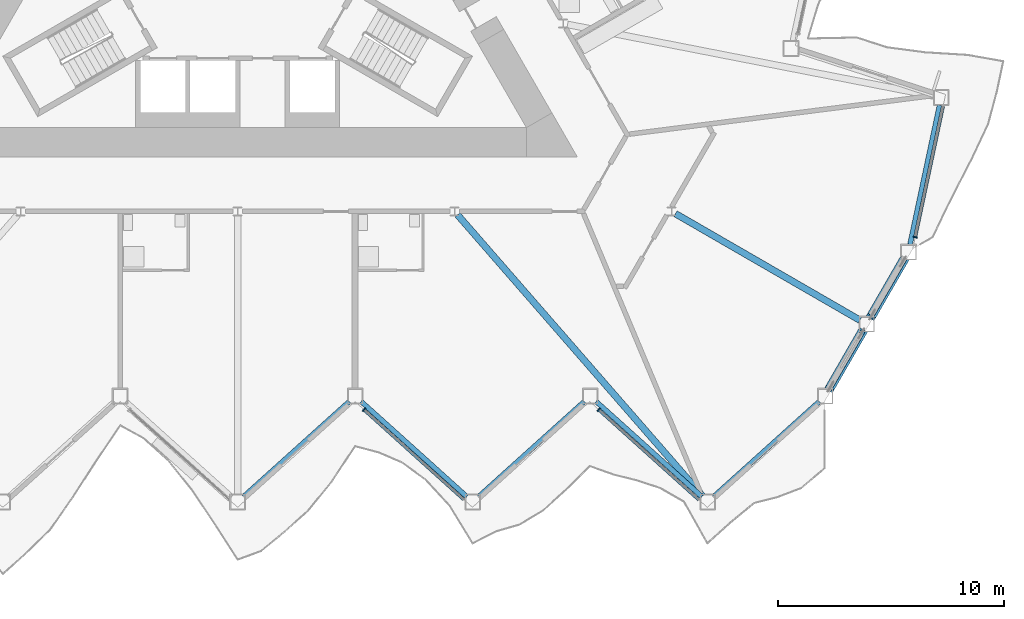
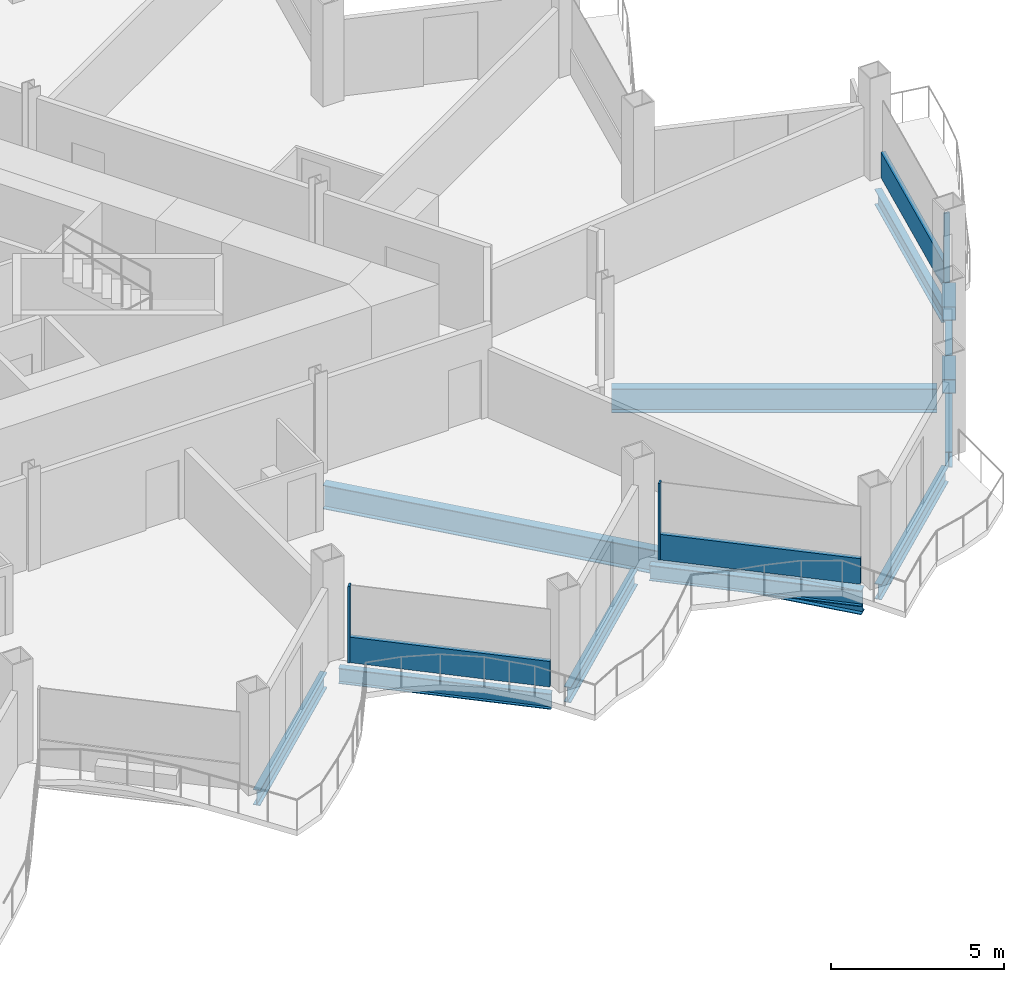
# One storey, part 6 of 23: 10 beams, 8 members, 3 elements without a shape of their own.
"""IFC4 building model written with IfcOpenShell, lengths in metres."""

from ifc_helpers import new_model, si_unit, direction, frame, origin, origin_2d, place, context, subcontext, project, spatial, rectangle, hollow_rectangle, i_section, extrude, material, layer, layer_set, material_profile, profile_set, type_object, element, aggregate, save


model = new_model("IFC4")

# Units and contexts
model_context = context("Model", 3, precision=1e-05, world=origin(), true_north=direction((0.0, 1.0)))
body_context = subcontext(model_context, "Body", "Model", "MODEL_VIEW")
ifc_project = project(units=[si_unit("LENGTHUNIT", "METRE"), si_unit("AREAUNIT", "SQUARE_METRE"), si_unit("VOLUMEUNIT", "CUBIC_METRE"), si_unit("PLANEANGLEUNIT", "RADIAN"), si_unit("MASSUNIT", "GRAM", prefix="KILO")], contexts=[model_context])

# Site, building, storey
site_placement = place(None, origin())
site = spatial("IfcSite", under=ifc_project, at=site_placement, CompositionType="ELEMENT")
building_placement = place(site_placement, origin())
building = spatial("IfcBuilding", under=site, at=building_placement, Name="Cormorant Prow Tower", CompositionType="ELEMENT")
storey_placement = place(building_placement, frame((0.0, 0.0, 263.39990234375)))
storey = spatial("IfcBuildingStorey", under=building, at=storey_placement, Name="L59", CompositionType="ELEMENT", Elevation=263.39990234375)

# Members
ifc_material_1 = material(Name="Structural steel ASTM A500 Gr C", Category="steel")
ifc_material_profile_1 = material_profile(ifc_material_1, hollow_rectangle(XDim=0.406494140625, YDim=0.406494140625, WallThickness=0.01171875, at=origin_2d()), Name="HSS16x16x1/2")
ifc_profile_set_1 = profile_set([ifc_material_profile_1], Name="Structural steel ASTM A500 Gr C")
member_type_1 = type_object("IfcMemberType", Name="Chamfer brace HSS16x16x1/2", PredefinedType="BRACE", material=ifc_profile_set_1)
for number, where, z_axis, x_axis, name in (
    (1, (27.593505859375, -16.353271484375, 0.74951171875), (-0.462773096913, -0.801606962687, 0.378506721399), (0.866041729639, -0.499971721724, 0.0), "Chamfer brace BR2 at ESE00 L59"),
    (2, (29.4287109375, -13.174560546875, 0.74951171875), (-0.462773096913, -0.801606962687, 0.378506721399), (0.866041729639, -0.499971721724, 0.0), "Chamfer brace BR2 at ESE01 L59"),
):
    element("IfcMember", number, at=place(storey_placement, frame(where, z_axis=z_axis, x_axis=x_axis)), inside=storey, type_object=member_type_1, Name=name, PredefinedType="BRACE", context=body_context, shape_type="SweptSolid", body=[
        extrude(hollow_rectangle(XDim=0.406494140625, YDim=0.406494140625, WallThickness=0.01171875, at=origin_2d()), origin(), (0.0, 0.0, 1.0), 3.17529296875),
    ])

# Curtain wall, member
ifc_material_2 = material(Name="Aluminium 6063-T6", Category="aluminium")
ifc_layer = layer(ifc_material_2, 0.179931640625)
ifc_layer_set = layer_set([ifc_layer], Name="Aluminium 6063-T6")
curtain_wall_type = type_object("IfcCurtainWallType", Name="Hotel unitised curtain wall 180", PredefinedType="NOTDEFINED", material=ifc_layer_set)
curtain_wall_1_placement = place(storey_placement, origin())
curtain_wall_1 = element("IfcCurtainWall", 3, at=curtain_wall_1_placement, inside=storey, type_object=curtain_wall_type, Name="Hotel curtain wall S06", PredefinedType="NOTDEFINED")
ifc_material_3 = material(Name="Aluminium 6063-T6", Category="aluminium")
ifc_material_profile_2 = material_profile(ifc_material_3, rectangle(XDim=0.179931640625, YDim=0.06005859375, at=origin_2d()), Name="Hotel mullion 60x180")
ifc_profile_set_2 = profile_set([ifc_material_profile_2], Name="Aluminium 6063-T6")
member_type_2 = type_object("IfcMemberType", Name="Hotel mullion 60x180", PredefinedType="MULLION", material=ifc_profile_set_2)
member_1_placement = place(storey_placement, frame((5.577392578125, -19.8115234375, 0.0), z_axis=(0.0, 0.0, 1.0), x_axis=(0.669130572247, 0.743144856192, 0.0)))
member_1 = element("IfcMember", 4, at=member_1_placement, type_object=member_type_2, Name="Hotel mullion S06", PredefinedType="MULLION", context=body_context, shape_type="SweptSolid", body=[
    extrude(rectangle(XDim=0.179931640625, YDim=0.06005859375, at=origin_2d()), origin(), (0.0, 0.0, 1.0), 2.700927734375),
])

curtain_wall_2_placement = place(storey_placement, origin())
curtain_wall_2 = element("IfcCurtainWall", 5, at=curtain_wall_2_placement, inside=storey, type_object=curtain_wall_type, Name="Hotel curtain wall S08", PredefinedType="NOTDEFINED")
member_2_placement = place(storey_placement, frame((15.942626953125, -19.8115234375, 0.0), z_axis=(0.0, 0.0, 1.0), x_axis=(0.669130572247, 0.743144856192, 0.0)))
member_2 = element("IfcMember", 6, at=member_2_placement, type_object=member_type_2, Name="Hotel mullion S08", PredefinedType="MULLION", context=body_context, shape_type="SweptSolid", body=[
    extrude(rectangle(XDim=0.179931640625, YDim=0.06005859375, at=origin_2d()), origin(), (0.0, 0.0, 1.0), 2.700927734375),
])

curtain_wall_3_placement = place(storey_placement, origin())
curtain_wall_3 = element("IfcCurtainWall", 7, at=curtain_wall_3_placement, inside=storey, type_object=curtain_wall_type, Name="Hotel curtain wall ENE00", PredefinedType="NOTDEFINED")
member_3_placement = place(storey_placement, frame((29.916748046875, -12.194091796875, 0.0), z_axis=(0.0, 0.0, 1.0), x_axis=(-0.978147588777, 0.20791174707, 0.0)))
member_3 = element("IfcMember", 8, at=member_3_placement, type_object=member_type_2, Name="Hotel mullion ENE00", PredefinedType="MULLION", context=body_context, shape_type="SweptSolid", body=[
    extrude(rectangle(XDim=0.179931640625, YDim=0.06005859375, at=origin_2d()), origin(), (0.0, 0.0, 1.0), 2.700927734375),
])

# Member
ifc_material_4 = material(Name="Terracotta", Category="masonry")
ifc_material_profile_3 = material_profile(ifc_material_4, rectangle(XDim=0.139892578125, YDim=0.89990234375, at=origin_2d()), Name="Hotel terracotta spandrel rail 140x900")
ifc_profile_set_3 = profile_set([ifc_material_profile_3], Name="Terracotta")
member_type_3 = type_object("IfcMemberType", Name="Hotel terracotta spandrel rail 140x900", PredefinedType="USERDEFINED", material=ifc_profile_set_3)
member_4_placement = place(storey_placement, frame((5.599609375, -19.831787109375, 0.4501953125), z_axis=(0.743140118275, -0.669135834199, 0.0), x_axis=(0.669135834199, 0.743140118275, 0.0)))
member_4 = element("IfcMember", 9, at=member_4_placement, type_object=member_type_3, Name="Hotel spandrel rail S06", ObjectType="TRANSOM", PredefinedType="USERDEFINED", context=body_context, shape_type="SweptSolid", body=[
    extrude(rectangle(XDim=0.139892578125, YDim=0.89990234375, at=origin_2d()), origin(), (0.0, 0.0, 1.0), 5.911865234375),
])

aggregate(curtain_wall_1, [member_1, member_4])

member_5_placement = place(storey_placement, frame((15.96484375, -19.831787109375, 0.4501953125), z_axis=(0.743158607872, -0.669115299142, 0.0), x_axis=(0.669115299142, 0.743158607872, 0.0)))
member_5 = element("IfcMember", 10, at=member_5_placement, type_object=member_type_3, Name="Hotel spandrel rail S08", ObjectType="TRANSOM", PredefinedType="USERDEFINED", context=body_context, shape_type="SweptSolid", body=[
    extrude(rectangle(XDim=0.139892578125, YDim=0.89990234375, at=origin_2d()), origin(), (0.0, 0.0, 1.0), 5.912109375),
])

aggregate(curtain_wall_2, [member_2, member_5])

member_6_placement = place(storey_placement, frame((29.923095703125, -12.164794921875, 0.4501953125), z_axis=(0.207887402243, 0.978152763115, 0.0), x_axis=(-0.978152763115, 0.207887402243, 0.0)))
member_6 = element("IfcMember", 11, at=member_6_placement, type_object=member_type_3, Name="Hotel spandrel rail ENE00", ObjectType="TRANSOM", PredefinedType="USERDEFINED", context=body_context, shape_type="SweptSolid", body=[
    extrude(rectangle(XDim=0.139892578125, YDim=0.89990234375, at=origin_2d()), origin(), (0.0, 0.0, 1.0), 5.911865234375),
])

aggregate(curtain_wall_3, [member_3, member_6])

# Beams
ifc_material_5 = material(Name="Structural steel ASTM A992 Gr 50", Category="steel")
ifc_material_profile_4 = material_profile(ifc_material_5, i_section(OverallWidth=0.29296875, OverallDepth=0.845703125, WebThickness=0.015380859375, FlangeThickness=0.0244140625, at=origin_2d()), Name="W33x141")
ifc_profile_set_4 = profile_set([ifc_material_profile_4], Name="Structural steel ASTM A992 Gr 50")
beam_type_1 = type_object("IfcBeamType", Name="Radial floor beam W33x141", PredefinedType="BEAM", material=ifc_profile_set_4)
beam_1_placement = place(storey_placement, frame((9.70947265625, -11.210693359375, -0.772705078125), z_axis=(0.656874593387, -0.753999846527, 0.0), x_axis=(0.753999846527, 0.656874593387, 0.0)))
element("IfcBeam", 12, at=beam_1_placement, inside=storey, type_object=beam_type_1, Name="Radial floor beam FB2 8 L59", PredefinedType="BEAM", context=body_context, shape_type="SweptSolid", body=[
    extrude(i_section(OverallWidth=0.29296875, OverallDepth=0.845703125, WebThickness=0.015380859375, FlangeThickness=0.0244140625, at=origin_2d()), origin(), (0.0, 0.0, 1.0), 16.4619140625),
])
beam_2_placement = place(storey_placement, frame((19.32958984375, -11.159912109375, -0.772705078125), z_axis=(0.866021726843, -0.500006368596, 0.0), x_axis=(0.500006368596, 0.866021726843, 0.0)))
element("IfcBeam", 13, at=beam_2_placement, inside=storey, type_object=beam_type_1, Name="Radial floor beam FB2 9 L59", PredefinedType="BEAM", context=body_context, shape_type="SweptSolid", body=[
    extrude(i_section(OverallWidth=0.29296875, OverallDepth=0.845703125, WebThickness=0.015380859375, FlangeThickness=0.0244140625, at=origin_2d()), origin(), (0.0, 0.0, 1.0), 9.40380859375),
])
ifc_material_6 = material(Name="Structural steel ASTM A992 Gr 50", Category="steel")
ifc_material_profile_5 = material_profile(ifc_material_6, i_section(OverallWidth=0.2138671875, OverallDepth=0.549072265625, WebThickness=0.0146484375, FlangeThickness=0.023681640625, at=origin_2d()), Name="W21x93")
ifc_profile_set_5 = profile_set([ifc_material_profile_5], Name="Structural steel ASTM A992 Gr 50")
beam_type_2 = type_object("IfcBeamType", Name="Spandrel beam W21x93", PredefinedType="SPANDREL", material=ifc_profile_set_5)
for number, where, z_axis, x_axis, name in (
    (14, (0.260009765625, -23.65283203125, -0.62451171875), (0.743156918576, 0.669117175368, 0.0), (-0.669117175368, 0.743156918576, 0.0), "Spandrel beam SB2 S05-S06 L59"),
    (15, (5.4482421875, -19.44970703125, -0.62451171875), (0.743156918576, -0.669117175368, 0.0), (0.669117175368, 0.743156918576, 0.0), "Spandrel beam SB2 S06-S07 L59"),
    (16, (10.636474609375, -23.65283203125, -0.62451171875), (0.743156918576, 0.669117175368, 0.0), (-0.669117175368, 0.743156918576, 0.0), "Spandrel beam SB2 S07-S08 L59"),
    (17, (15.82470703125, -19.44970703125, -0.62451171875), (0.743156918576, -0.669117175368, 0.0), (0.669117175368, 0.743156918576, 0.0), "Spandrel beam SB2 S08-S09 L59"),
    (18, (21.012939453125, -23.65283203125, -0.62451171875), (0.743156918576, 0.669117175368, 0.0), (-0.669117175368, 0.743156918576, 0.0), "Spandrel beam SB2 S09-ESE00 L59"),
):
    element("IfcBeam", number, at=place(storey_placement, frame(where, z_axis=z_axis, x_axis=x_axis)), inside=storey, type_object=beam_type_2, Name=name, PredefinedType="SPANDREL", context=body_context, shape_type="SweptSolid", body=[
        extrude(i_section(OverallWidth=0.2138671875, OverallDepth=0.549072265625, WebThickness=0.0146484375, FlangeThickness=0.023681640625, at=origin_2d()), origin(), (0.0, 0.0, 1.0), 6.281494140625),
    ])
for number, where, z_axis, x_axis, name in (
    (19, (26.1162109375, -18.912353515625, -0.62451171875), (0.499966725515, 0.866044613965, 0.0), (-0.866044613965, 0.499966725515, 0.0), "Spandrel beam SB2 ESE00-ESE01 L59"),
    (20, (27.951416015625, -15.733642578125, -0.62451171875), (0.499966725515, 0.866044613965, 0.0), (-0.866044613965, 0.499966725515, 0.0), "Spandrel beam SB2 ESE01-ENE00 L59"),
):
    element("IfcBeam", number, at=place(storey_placement, frame(where, z_axis=z_axis, x_axis=x_axis)), inside=storey, type_object=beam_type_2, Name=name, PredefinedType="SPANDREL", context=body_context, shape_type="SweptSolid", body=[
        extrude(i_section(OverallWidth=0.2138671875, OverallDepth=0.549072265625, WebThickness=0.0146484375, FlangeThickness=0.023681640625, at=origin_2d()), origin(), (0.0, 0.0, 1.0), 2.970458984375),
    ])
beam_3_placement = place(storey_placement, frame((29.684326171875, -12.515625, -0.62451171875), z_axis=(0.207941499013, 0.978141264331, 0.0), x_axis=(-0.978141264331, 0.207941499013, 0.0)))
element("IfcBeam", 21, at=beam_3_placement, inside=storey, type_object=beam_type_2, Name="Spandrel beam SB2 ENE00-ENE01 L59", PredefinedType="SPANDREL", context=body_context, shape_type="SweptSolid", body=[
    extrude(i_section(OverallWidth=0.2138671875, OverallDepth=0.549072265625, WebThickness=0.0146484375, FlangeThickness=0.023681640625, at=origin_2d()), origin(), (0.0, 0.0, 1.0), 6.28125),
])

save(model, "model.ifc")
